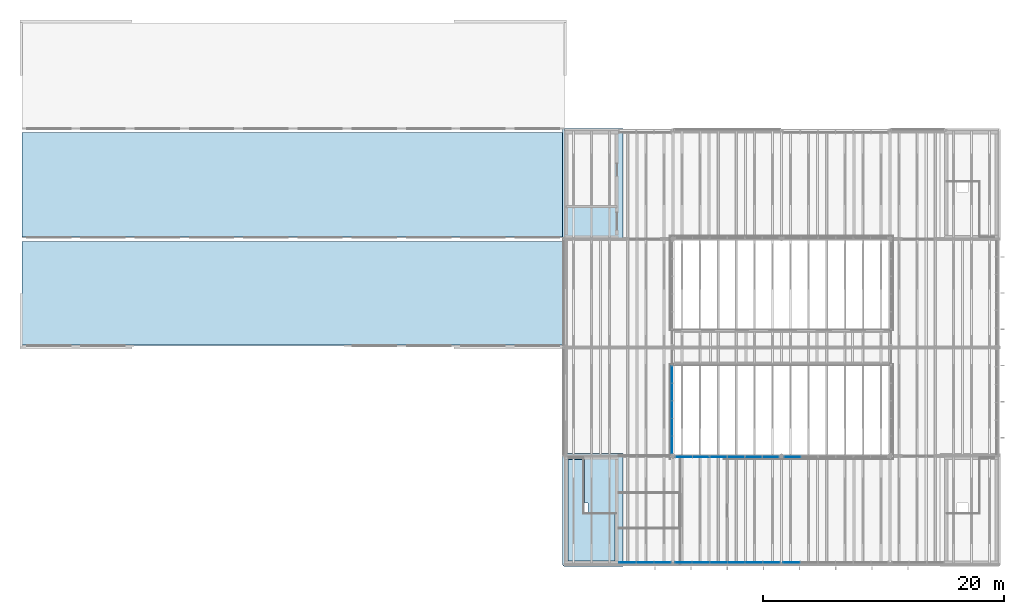
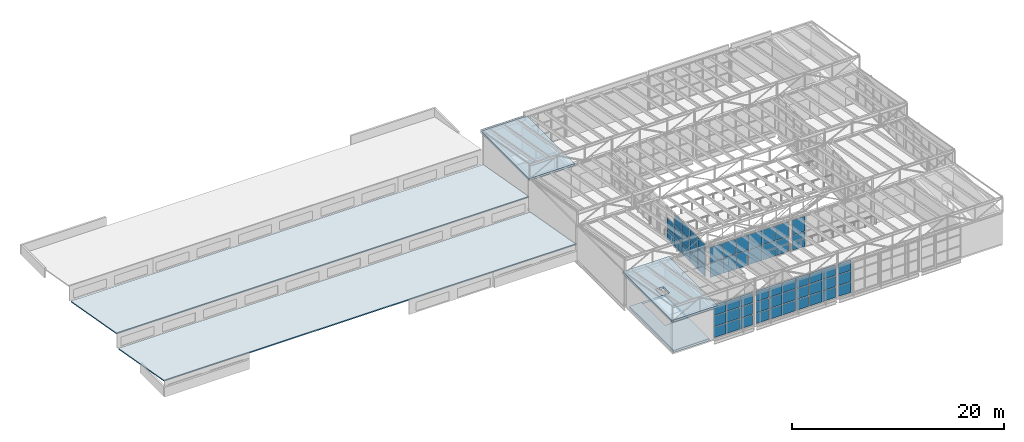
# One storey, part 30 of 44: 58 plates, 5 slabs, 6 elements without a shape of their own.
"""IFC4 building model written with IfcOpenShell, lengths in metres."""

from ifc_helpers import new_model, si_unit, direction, frame, origin, origin_2d, place, context, subcontext, project, spatial, polyline, rectangle, outline, extrude, material, layer, layer_set, type_object, element, aggregate, save


model = new_model("IFC4")

# Units and contexts
model_context = context("Model", 3, precision=1e-05, world=origin(), true_north=direction((0.0, 1.0)))
body_context = subcontext(model_context, "Body", "Model", "MODEL_VIEW")
ifc_project = project(units=[si_unit("LENGTHUNIT", "METRE"), si_unit("AREAUNIT", "SQUARE_METRE"), si_unit("VOLUMEUNIT", "CUBIC_METRE"), si_unit("PLANEANGLEUNIT", "RADIAN"), si_unit("MASSUNIT", "GRAM", prefix="KILO")], contexts=[model_context])

# Site, building, storey
site_placement = place(None, origin())
site = spatial("IfcSite", under=ifc_project, at=site_placement, CompositionType="ELEMENT")
building_placement = place(site_placement, origin())
building = spatial("IfcBuilding", under=site, at=building_placement, Name="Halyard Row Museum", CompositionType="ELEMENT")
storey_placement = place(building_placement, frame((0.0, 0.0, 21.199951171875)))
storey = spatial("IfcBuildingStorey", under=building, at=storey_placement, Name="L04", CompositionType="ELEMENT", Elevation=21.199951171875)

# Slabs
ifc_material_1 = material(Name="Concrete 40 MPa", Category="concrete")
ifc_layer_1 = layer(ifc_material_1, 0.25)
ifc_layer_set_1 = layer_set([ifc_layer_1], Name="Concrete 40 MPa")
slab_type_1 = type_object("IfcSlabType", Name="Core floor slab 250", PredefinedType="FLOOR", material=ifc_layer_set_1)
slab_1_placement = place(storey_placement, frame((0.0, 0.0, -0.25)))
element("IfcSlab", 1, at=slab_1_placement, inside=storey, type_object=slab_type_1, Name="Core floor K2A L04", PredefinedType="FLOOR", context=body_context, shape_type="SweptSolid", body=[
    extrude(outline(polyline([(76.199951171875, 8.699951171875), (72.300048828125, 8.699951171875), (72.300048828125, 0.300048828125), (76.199951171875, 0.300048828125), (76.199951171875, 8.699951171875)]), holes=[polyline([(73.653076171875, 8.697021484375), (76.197021484375, 8.697021484375), (76.197021484375, 4.302978515625), (73.653076171875, 4.302978515625), (73.653076171875, 8.697021484375)])]), origin(), (0.0, 0.0, 1.0), 0.25),
])
ifc_material_2 = material(Name="Concrete 40 MPa", Category="concrete")
ifc_layer_2 = layer(ifc_material_2, 0.25)
ifc_layer_set_2 = layer_set([ifc_layer_2], Name="Concrete 40 MPa")
slab_type_2 = type_object("IfcSlabType", Name="Core roof slab 250 reinforced concrete", PredefinedType="ROOF", material=ifc_layer_set_2)
slab_2_placement = place(storey_placement, frame((0.0, 0.0, 3.628173828125)))
element("IfcSlab", 2, at=slab_2_placement, inside=storey, type_object=slab_type_2, Name="Core roof K2A", PredefinedType="ROOF", context=body_context, shape_type="SweptSolid", body=[
    extrude(outline(polyline([(76.85009765625, -0.14990234375), (72.0, -0.14990234375), (71.9853515625, -0.149169921875), (71.970703125, -0.147216796875), (71.95654296875, -0.1435546875), (71.942626953125, -0.138671875), (71.92919921875, -0.13232421875), (71.916748046875, -0.124755859375), (71.90478515625, -0.115966796875), (71.89404296875, -0.10595703125), (71.884033203125, -0.09521484375), (71.875244140625, -0.083251953125), (71.86767578125, -0.07080078125), (71.861328125, -0.057373046875), (71.8564453125, -0.04345703125), (71.852783203125, -0.029296875), (71.850830078125, -0.0146484375), (71.85009765625, 0.0), (71.85009765625, 9.199951171875), (76.85009765625, 9.199951171875), (76.85009765625, -0.14990234375)]), holes=[polyline([(73.050048828125, 3.89990234375), (73.949951171875, 3.89990234375), (73.949951171875, 5.10009765625), (73.050048828125, 5.10009765625), (73.050048828125, 3.89990234375)])]), origin(), (0.0, 0.0, 1.0), 0.25),
])
slab_3_placement = place(storey_placement, frame((0.0, 0.0, 3.628173828125)))
element("IfcSlab", 3, at=slab_3_placement, inside=storey, type_object=slab_type_2, Name="Core roof K7", PredefinedType="ROOF", context=body_context, shape_type="SweptSolid", body=[
    extrude(outline(polyline([(76.85009765625, 36.095458984375), (72.0, 36.095458984375), (72.0, 35.904541015625), (76.85009765625, 35.904541015625), (76.85009765625, 26.85009765625), (71.85009765625, 26.85009765625), (71.85009765625, 36.0), (71.850830078125, 36.0146484375), (71.852783203125, 36.029296875), (71.8564453125, 36.04345703125), (71.861328125, 36.057373046875), (71.86767578125, 36.07080078125), (71.875244140625, 36.083251953125), (71.884033203125, 36.09521484375), (71.89404296875, 36.10595703125), (71.90478515625, 36.115966796875), (71.916748046875, 36.124755859375), (71.92919921875, 36.13232421875), (71.942626953125, 36.138671875), (71.95654296875, 36.1435546875), (71.970703125, 36.147216796875), (71.9853515625, 36.149169921875), (72.0, 36.14990234375), (76.85009765625, 36.14990234375), (76.85009765625, 36.095458984375)])), origin(), (0.0, 0.0, 1.0), 0.25),
])

# Curtain wall, plates
ifc_material_3 = material(Name="Double glazed unit, low-emissivity", Category="glass")
ifc_layer_3 = layer(ifc_material_3, 0.219970703125)
ifc_layer_set_3 = layer_set([ifc_layer_3], Name="Double glazed unit, low-emissivity")
curtain_wall_type_1 = type_object("IfcCurtainWallType", Name="Curtain wall unitised 220 deep", PredefinedType="NOTDEFINED", material=ifc_layer_set_3)
curtain_wall_1_placement = place(storey_placement, origin())
curtain_wall_1 = element("IfcCurtainWall", 4, at=curtain_wall_1_placement, inside=storey, type_object=curtain_wall_type_1, Name="Curtain wall CW055", PredefinedType="NOTDEFINED")
ifc_material_4 = material(Name="Double glazed unit, low-emissivity", Category="glass")
ifc_layer_4 = layer(ifc_material_4, 0.035888671875)
ifc_layer_set_4 = layer_set([ifc_layer_4], Name="Double glazed unit, low-emissivity")
plate_type_1 = type_object("IfcPlateType", Name="Curtain wall glazed panel CP3 36", PredefinedType="CURTAIN_PANEL", material=ifc_layer_set_4)
plate_1_placement = place(storey_placement, frame((77.244140625, 0.159912109375, 0.06005859375), z_axis=(0.0, 0.0, 1.0), x_axis=(1.0, 0.0, 0.0)))
plate_1 = element("IfcPlate", 5, at=plate_1_placement, type_object=plate_type_1, Name="CW055 panel 1.1", PredefinedType="CURTAIN_PANEL", context=body_context, shape_type="SweptSolid", body=[
    extrude(rectangle(XDim=1.368408203125, YDim=0.035888671875, at=origin_2d()), origin(), (0.0, 0.0, 1.0), 1.20263671875),
])
plate_2_placement = place(storey_placement, frame((77.244140625, 0.159912109375, 1.32275390625), z_axis=(0.0, 0.0, 1.0), x_axis=(1.0, 0.0, 0.0)))
plate_2 = element("IfcPlate", 6, at=plate_2_placement, type_object=plate_type_1, Name="CW055 panel 1.2", PredefinedType="CURTAIN_PANEL", context=body_context, shape_type="SweptSolid", body=[
    extrude(rectangle(XDim=1.368408203125, YDim=0.035888671875, at=origin_2d()), origin(), (0.0, 0.0, 1.0), 1.232666015625),
])
plate_3_placement = place(storey_placement, frame((77.244140625, 0.159912109375, 2.615478515625), z_axis=(0.0, 0.0, 1.0), x_axis=(1.0, 0.0, 0.0)))
plate_3 = element("IfcPlate", 7, at=plate_3_placement, type_object=plate_type_1, Name="CW055 panel 1.3", PredefinedType="CURTAIN_PANEL", context=body_context, shape_type="SweptSolid", body=[
    extrude(rectangle(XDim=1.368408203125, YDim=0.035888671875, at=origin_2d()), origin(), (0.0, 0.0, 1.0), 1.20263671875),
])
plate_4_placement = place(storey_placement, frame((78.6875, 0.159912109375, 0.06005859375), z_axis=(0.0, 0.0, 1.0), x_axis=(1.0, 0.0, 0.0)))
plate_4 = element("IfcPlate", 8, at=plate_4_placement, type_object=plate_type_1, Name="CW055 panel 2.1", PredefinedType="CURTAIN_PANEL", context=body_context, shape_type="SweptSolid", body=[
    extrude(rectangle(XDim=1.3984375, YDim=0.035888671875, at=origin_2d()), origin(), (0.0, 0.0, 1.0), 1.20263671875),
])
plate_5_placement = place(storey_placement, frame((78.6875, 0.159912109375, 1.32275390625), z_axis=(0.0, 0.0, 1.0), x_axis=(1.0, 0.0, 0.0)))
plate_5 = element("IfcPlate", 9, at=plate_5_placement, type_object=plate_type_1, Name="CW055 panel 2.2", PredefinedType="CURTAIN_PANEL", context=body_context, shape_type="SweptSolid", body=[
    extrude(rectangle(XDim=1.3984375, YDim=0.035888671875, at=origin_2d()), origin(), (0.0, 0.0, 1.0), 1.232666015625),
])
plate_6_placement = place(storey_placement, frame((78.6875, 0.159912109375, 2.615478515625), z_axis=(0.0, 0.0, 1.0), x_axis=(1.0, 0.0, 0.0)))
plate_6 = element("IfcPlate", 10, at=plate_6_placement, type_object=plate_type_1, Name="CW055 panel 2.3", PredefinedType="CURTAIN_PANEL", context=body_context, shape_type="SweptSolid", body=[
    extrude(rectangle(XDim=1.3984375, YDim=0.035888671875, at=origin_2d()), origin(), (0.0, 0.0, 1.0), 1.20263671875),
])
plate_7_placement = place(storey_placement, frame((80.130859375, 0.159912109375, 0.06005859375), z_axis=(0.0, 0.0, 1.0), x_axis=(1.0, 0.0, 0.0)))
plate_7 = element("IfcPlate", 11, at=plate_7_placement, type_object=plate_type_1, Name="CW055 panel 3.1", PredefinedType="CURTAIN_PANEL", context=body_context, shape_type="SweptSolid", body=[
    extrude(rectangle(XDim=1.368408203125, YDim=0.035888671875, at=origin_2d()), origin(), (0.0, 0.0, 1.0), 1.20263671875),
])
plate_8_placement = place(storey_placement, frame((80.130859375, 0.159912109375, 1.32275390625), z_axis=(0.0, 0.0, 1.0), x_axis=(1.0, 0.0, 0.0)))
plate_8 = element("IfcPlate", 12, at=plate_8_placement, type_object=plate_type_1, Name="CW055 panel 3.2", PredefinedType="CURTAIN_PANEL", context=body_context, shape_type="SweptSolid", body=[
    extrude(rectangle(XDim=1.368408203125, YDim=0.035888671875, at=origin_2d()), origin(), (0.0, 0.0, 1.0), 1.232666015625),
])
plate_9_placement = place(storey_placement, frame((80.130859375, 0.159912109375, 2.615478515625), z_axis=(0.0, 0.0, 1.0), x_axis=(1.0, 0.0, 0.0)))
plate_9 = element("IfcPlate", 13, at=plate_9_placement, type_object=plate_type_1, Name="CW055 panel 3.3", PredefinedType="CURTAIN_PANEL", context=body_context, shape_type="SweptSolid", body=[
    extrude(rectangle(XDim=1.368408203125, YDim=0.035888671875, at=origin_2d()), origin(), (0.0, 0.0, 1.0), 1.20263671875),
])
aggregate(curtain_wall_1, [plate_1, plate_2, plate_3, plate_4, plate_5, plate_6, plate_7, plate_8, plate_9])

curtain_wall_2_placement = place(storey_placement, origin())
curtain_wall_2 = element("IfcCurtainWall", 14, at=curtain_wall_2_placement, inside=storey, type_object=curtain_wall_type_1, Name="Curtain wall CW056", PredefinedType="NOTDEFINED")
plate_10_placement = place(storey_placement, frame((81.871337890625, 0.159912109375, 0.06005859375), z_axis=(0.0, 0.0, 1.0), x_axis=(1.0, 0.0, 0.0)))
plate_10 = element("IfcPlate", 15, at=plate_10_placement, type_object=plate_type_1, Name="CW056 panel 1.1", PredefinedType="CURTAIN_PANEL", context=body_context, shape_type="SweptSolid", body=[
    extrude(rectangle(XDim=1.37255859375, YDim=0.035888671875, at=origin_2d()), origin(), (0.0, 0.0, 1.0), 1.20263671875),
])
plate_11_placement = place(storey_placement, frame((81.871337890625, 0.159912109375, 1.32275390625), z_axis=(0.0, 0.0, 1.0), x_axis=(1.0, 0.0, 0.0)))
plate_11 = element("IfcPlate", 16, at=plate_11_placement, type_object=plate_type_1, Name="CW056 panel 1.2", PredefinedType="CURTAIN_PANEL", context=body_context, shape_type="SweptSolid", body=[
    extrude(rectangle(XDim=1.37255859375, YDim=0.035888671875, at=origin_2d()), origin(), (0.0, 0.0, 1.0), 1.232666015625),
])
plate_12_placement = place(storey_placement, frame((81.871337890625, 0.159912109375, 2.615478515625), z_axis=(0.0, 0.0, 1.0), x_axis=(1.0, 0.0, 0.0)))
plate_12 = element("IfcPlate", 17, at=plate_12_placement, type_object=plate_type_1, Name="CW056 panel 1.3", PredefinedType="CURTAIN_PANEL", context=body_context, shape_type="SweptSolid", body=[
    extrude(rectangle(XDim=1.37255859375, YDim=0.035888671875, at=origin_2d()), origin(), (0.0, 0.0, 1.0), 1.20263671875),
])
plate_13_placement = place(storey_placement, frame((83.31884765625, 0.159912109375, 0.06005859375), z_axis=(0.0, 0.0, 1.0), x_axis=(1.0, 0.0, 0.0)))
plate_13 = element("IfcPlate", 18, at=plate_13_placement, type_object=plate_type_1, Name="CW056 panel 2.1", PredefinedType="CURTAIN_PANEL", context=body_context, shape_type="SweptSolid", body=[
    extrude(rectangle(XDim=1.402587890625, YDim=0.035888671875, at=origin_2d()), origin(), (0.0, 0.0, 1.0), 1.20263671875),
])
plate_14_placement = place(storey_placement, frame((83.31884765625, 0.159912109375, 1.32275390625), z_axis=(0.0, 0.0, 1.0), x_axis=(1.0, 0.0, 0.0)))
plate_14 = element("IfcPlate", 19, at=plate_14_placement, type_object=plate_type_1, Name="CW056 panel 2.2", PredefinedType="CURTAIN_PANEL", context=body_context, shape_type="SweptSolid", body=[
    extrude(rectangle(XDim=1.402587890625, YDim=0.035888671875, at=origin_2d()), origin(), (0.0, 0.0, 1.0), 1.232666015625),
])
plate_15_placement = place(storey_placement, frame((83.31884765625, 0.159912109375, 2.615478515625), z_axis=(0.0, 0.0, 1.0), x_axis=(1.0, 0.0, 0.0)))
plate_15 = element("IfcPlate", 20, at=plate_15_placement, type_object=plate_type_1, Name="CW056 panel 2.3", PredefinedType="CURTAIN_PANEL", context=body_context, shape_type="SweptSolid", body=[
    extrude(rectangle(XDim=1.402587890625, YDim=0.035888671875, at=origin_2d()), origin(), (0.0, 0.0, 1.0), 1.20263671875),
])
plate_16_placement = place(storey_placement, frame((84.78125, 0.159912109375, 0.06005859375), z_axis=(0.0, 0.0, 1.0), x_axis=(1.0, 0.0, 0.0)))
plate_16 = element("IfcPlate", 21, at=plate_16_placement, type_object=plate_type_1, Name="CW056 panel 3.1", PredefinedType="CURTAIN_PANEL", context=body_context, shape_type="SweptSolid", body=[
    extrude(rectangle(XDim=1.402587890625, YDim=0.035888671875, at=origin_2d()), origin(), (0.0, 0.0, 1.0), 1.20263671875),
])
plate_17_placement = place(storey_placement, frame((84.78125, 0.159912109375, 1.32275390625), z_axis=(0.0, 0.0, 1.0), x_axis=(1.0, 0.0, 0.0)))
plate_17 = element("IfcPlate", 22, at=plate_17_placement, type_object=plate_type_1, Name="CW056 panel 3.2", PredefinedType="CURTAIN_PANEL", context=body_context, shape_type="SweptSolid", body=[
    extrude(rectangle(XDim=1.402587890625, YDim=0.035888671875, at=origin_2d()), origin(), (0.0, 0.0, 1.0), 1.232666015625),
])
plate_18_placement = place(storey_placement, frame((84.78125, 0.159912109375, 2.615478515625), z_axis=(0.0, 0.0, 1.0), x_axis=(1.0, 0.0, 0.0)))
plate_18 = element("IfcPlate", 23, at=plate_18_placement, type_object=plate_type_1, Name="CW056 panel 3.3", PredefinedType="CURTAIN_PANEL", context=body_context, shape_type="SweptSolid", body=[
    extrude(rectangle(XDim=1.402587890625, YDim=0.035888671875, at=origin_2d()), origin(), (0.0, 0.0, 1.0), 1.20263671875),
])
plate_19_placement = place(storey_placement, frame((86.24365234375, 0.159912109375, 0.06005859375), z_axis=(0.0, 0.0, 1.0), x_axis=(1.0, 0.0, 0.0)))
plate_19 = element("IfcPlate", 24, at=plate_19_placement, type_object=plate_type_1, Name="CW056 panel 4.1", PredefinedType="CURTAIN_PANEL", context=body_context, shape_type="SweptSolid", body=[
    extrude(rectangle(XDim=1.402587890625, YDim=0.035888671875, at=origin_2d()), origin(), (0.0, 0.0, 1.0), 1.20263671875),
])
plate_20_placement = place(storey_placement, frame((86.24365234375, 0.159912109375, 1.32275390625), z_axis=(0.0, 0.0, 1.0), x_axis=(1.0, 0.0, 0.0)))
plate_20 = element("IfcPlate", 25, at=plate_20_placement, type_object=plate_type_1, Name="CW056 panel 4.2", PredefinedType="CURTAIN_PANEL", context=body_context, shape_type="SweptSolid", body=[
    extrude(rectangle(XDim=1.402587890625, YDim=0.035888671875, at=origin_2d()), origin(), (0.0, 0.0, 1.0), 1.232666015625),
])
plate_21_placement = place(storey_placement, frame((86.24365234375, 0.159912109375, 2.615478515625), z_axis=(0.0, 0.0, 1.0), x_axis=(1.0, 0.0, 0.0)))
plate_21 = element("IfcPlate", 26, at=plate_21_placement, type_object=plate_type_1, Name="CW056 panel 4.3", PredefinedType="CURTAIN_PANEL", context=body_context, shape_type="SweptSolid", body=[
    extrude(rectangle(XDim=1.402587890625, YDim=0.035888671875, at=origin_2d()), origin(), (0.0, 0.0, 1.0), 1.20263671875),
])
plate_22_placement = place(storey_placement, frame((87.706298828125, 0.159912109375, 0.06005859375), z_axis=(0.0, 0.0, 1.0), x_axis=(1.0, 0.0, 0.0)))
plate_22 = element("IfcPlate", 27, at=plate_22_placement, type_object=plate_type_1, Name="CW056 panel 5.1", PredefinedType="CURTAIN_PANEL", context=body_context, shape_type="SweptSolid", body=[
    extrude(rectangle(XDim=1.402587890625, YDim=0.035888671875, at=origin_2d()), origin(), (0.0, 0.0, 1.0), 1.20263671875),
])
plate_23_placement = place(storey_placement, frame((87.706298828125, 0.159912109375, 1.32275390625), z_axis=(0.0, 0.0, 1.0), x_axis=(1.0, 0.0, 0.0)))
plate_23 = element("IfcPlate", 28, at=plate_23_placement, type_object=plate_type_1, Name="CW056 panel 5.2", PredefinedType="CURTAIN_PANEL", context=body_context, shape_type="SweptSolid", body=[
    extrude(rectangle(XDim=1.402587890625, YDim=0.035888671875, at=origin_2d()), origin(), (0.0, 0.0, 1.0), 1.232666015625),
])
plate_24_placement = place(storey_placement, frame((87.706298828125, 0.159912109375, 2.615478515625), z_axis=(0.0, 0.0, 1.0), x_axis=(1.0, 0.0, 0.0)))
plate_24 = element("IfcPlate", 29, at=plate_24_placement, type_object=plate_type_1, Name="CW056 panel 5.3", PredefinedType="CURTAIN_PANEL", context=body_context, shape_type="SweptSolid", body=[
    extrude(rectangle(XDim=1.402587890625, YDim=0.035888671875, at=origin_2d()), origin(), (0.0, 0.0, 1.0), 1.20263671875),
])
plate_25_placement = place(storey_placement, frame((89.15380859375, 0.159912109375, 0.06005859375), z_axis=(0.0, 0.0, 1.0), x_axis=(1.0, 0.0, 0.0)))
plate_25 = element("IfcPlate", 30, at=plate_25_placement, type_object=plate_type_1, Name="CW056 panel 6.1", PredefinedType="CURTAIN_PANEL", context=body_context, shape_type="SweptSolid", body=[
    extrude(rectangle(XDim=1.37255859375, YDim=0.035888671875, at=origin_2d()), origin(), (0.0, 0.0, 1.0), 1.20263671875),
])
plate_26_placement = place(storey_placement, frame((89.15380859375, 0.159912109375, 1.32275390625), z_axis=(0.0, 0.0, 1.0), x_axis=(1.0, 0.0, 0.0)))
plate_26 = element("IfcPlate", 31, at=plate_26_placement, type_object=plate_type_1, Name="CW056 panel 6.2", PredefinedType="CURTAIN_PANEL", context=body_context, shape_type="SweptSolid", body=[
    extrude(rectangle(XDim=1.37255859375, YDim=0.035888671875, at=origin_2d()), origin(), (0.0, 0.0, 1.0), 1.232666015625),
])
plate_27_placement = place(storey_placement, frame((89.15380859375, 0.159912109375, 2.615478515625), z_axis=(0.0, 0.0, 1.0), x_axis=(1.0, 0.0, 0.0)))
plate_27 = element("IfcPlate", 32, at=plate_27_placement, type_object=plate_type_1, Name="CW056 panel 6.3", PredefinedType="CURTAIN_PANEL", context=body_context, shape_type="SweptSolid", body=[
    extrude(rectangle(XDim=1.37255859375, YDim=0.035888671875, at=origin_2d()), origin(), (0.0, 0.0, 1.0), 1.20263671875),
])
aggregate(curtain_wall_2, [plate_10, plate_11, plate_12, plate_13, plate_14, plate_15, plate_16, plate_17, plate_18, plate_19, plate_20, plate_21, plate_22, plate_23, plate_24, plate_25, plate_26, plate_27])

curtain_wall_3_placement = place(storey_placement, origin())
curtain_wall_3 = element("IfcCurtainWall", 33, at=curtain_wall_3_placement, inside=storey, type_object=curtain_wall_type_1, Name="Curtain wall CW057", PredefinedType="NOTDEFINED")
plate_28_placement = place(storey_placement, frame((90.84619140625, 0.159912109375, 0.06005859375), z_axis=(0.0, 0.0, 1.0), x_axis=(1.0, 0.0, 0.0)))
plate_28 = element("IfcPlate", 34, at=plate_28_placement, type_object=plate_type_1, Name="CW057 panel 1.1", PredefinedType="CURTAIN_PANEL", context=body_context, shape_type="SweptSolid", body=[
    extrude(rectangle(XDim=1.37255859375, YDim=0.035888671875, at=origin_2d()), origin(), (0.0, 0.0, 1.0), 1.20263671875),
])
plate_29_placement = place(storey_placement, frame((90.84619140625, 0.159912109375, 1.32275390625), z_axis=(0.0, 0.0, 1.0), x_axis=(1.0, 0.0, 0.0)))
plate_29 = element("IfcPlate", 35, at=plate_29_placement, type_object=plate_type_1, Name="CW057 panel 1.2", PredefinedType="CURTAIN_PANEL", context=body_context, shape_type="SweptSolid", body=[
    extrude(rectangle(XDim=1.37255859375, YDim=0.035888671875, at=origin_2d()), origin(), (0.0, 0.0, 1.0), 1.232666015625),
])
plate_30_placement = place(storey_placement, frame((90.84619140625, 0.159912109375, 2.615478515625), z_axis=(0.0, 0.0, 1.0), x_axis=(1.0, 0.0, 0.0)))
plate_30 = element("IfcPlate", 36, at=plate_30_placement, type_object=plate_type_1, Name="CW057 panel 1.3", PredefinedType="CURTAIN_PANEL", context=body_context, shape_type="SweptSolid", body=[
    extrude(rectangle(XDim=1.37255859375, YDim=0.035888671875, at=origin_2d()), origin(), (0.0, 0.0, 1.0), 1.20263671875),
])
aggregate(curtain_wall_3, [plate_28, plate_29, plate_30])

ifc_material_5 = material(Name="Fire-resisting laminated glazing", Category="glass")
ifc_layer_5 = layer(ifc_material_5, 0.159912109375)
ifc_layer_set_5 = layer_set([ifc_layer_5], Name="Fire-resisting laminated glazing")
curtain_wall_type_2 = type_object("IfcCurtainWallType", Name="Curtain wall atrium screen 160 deep", PredefinedType="NOTDEFINED", material=ifc_layer_set_5)
curtain_wall_4_placement = place(storey_placement, origin())
curtain_wall_4 = element("IfcCurtainWall", 37, at=curtain_wall_4_placement, inside=storey, type_object=curtain_wall_type_2, Name="Curtain wall CW102", PredefinedType="NOTDEFINED")
ifc_material_6 = material(Name="Fire-resisting laminated glazing", Category="glass")
ifc_layer_6 = layer(ifc_material_6, 0.0400390625)
ifc_layer_set_6 = layer_set([ifc_layer_6], Name="Fire-resisting laminated glazing")
plate_type_2 = type_object("IfcPlateType", Name="Curtain wall glazed panel CP5 40", PredefinedType="CURTAIN_PANEL", material=ifc_layer_set_6)
plate_31_placement = place(storey_placement, frame((81.91455078125, 8.919921875, 0.06005859375), z_axis=(0.0, 0.0, 1.0), x_axis=(1.0, 0.0, 0.0)))
plate_31 = element("IfcPlate", 38, at=plate_31_placement, type_object=plate_type_2, Name="CW102 panel 1.1", PredefinedType="CURTAIN_PANEL", context=body_context, shape_type="SweptSolid", body=[
    extrude(rectangle(XDim=1.353271484375, YDim=0.0400390625, at=origin_2d()), origin(), (0.0, 0.0, 1.0), 1.7099609375),
])
plate_32_placement = place(storey_placement, frame((81.91455078125, 8.919921875, 1.830078125), z_axis=(0.0, 0.0, 1.0), x_axis=(1.0, 0.0, 0.0)))
plate_32 = element("IfcPlate", 39, at=plate_32_placement, type_object=plate_type_2, Name="CW102 panel 1.2", PredefinedType="CURTAIN_PANEL", context=body_context, shape_type="SweptSolid", body=[
    extrude(rectangle(XDim=1.353271484375, YDim=0.0400390625, at=origin_2d()), origin(), (0.0, 0.0, 1.0), 1.7099609375),
])
plate_33_placement = place(storey_placement, frame((83.3427734375, 8.919921875, 0.06005859375), z_axis=(0.0, 0.0, 1.0), x_axis=(1.0, 0.0, 0.0)))
plate_33 = element("IfcPlate", 40, at=plate_33_placement, type_object=plate_type_2, Name="CW102 panel 2.1", PredefinedType="CURTAIN_PANEL", context=body_context, shape_type="SweptSolid", body=[
    extrude(rectangle(XDim=1.38330078125, YDim=0.0400390625, at=origin_2d()), origin(), (0.0, 0.0, 1.0), 1.7099609375),
])
plate_34_placement = place(storey_placement, frame((83.3427734375, 8.919921875, 1.830078125), z_axis=(0.0, 0.0, 1.0), x_axis=(1.0, 0.0, 0.0)))
plate_34 = element("IfcPlate", 41, at=plate_34_placement, type_object=plate_type_2, Name="CW102 panel 2.2", PredefinedType="CURTAIN_PANEL", context=body_context, shape_type="SweptSolid", body=[
    extrude(rectangle(XDim=1.38330078125, YDim=0.0400390625, at=origin_2d()), origin(), (0.0, 0.0, 1.0), 1.7099609375),
])
plate_35_placement = place(storey_placement, frame((84.7861328125, 8.919921875, 0.06005859375), z_axis=(0.0, 0.0, 1.0), x_axis=(1.0, 0.0, 0.0)))
plate_35 = element("IfcPlate", 42, at=plate_35_placement, type_object=plate_type_2, Name="CW102 panel 3.1", PredefinedType="CURTAIN_PANEL", context=body_context, shape_type="SweptSolid", body=[
    extrude(rectangle(XDim=1.38330078125, YDim=0.0400390625, at=origin_2d()), origin(), (0.0, 0.0, 1.0), 1.7099609375),
])
plate_36_placement = place(storey_placement, frame((84.7861328125, 8.919921875, 1.830078125), z_axis=(0.0, 0.0, 1.0), x_axis=(1.0, 0.0, 0.0)))
plate_36 = element("IfcPlate", 43, at=plate_36_placement, type_object=plate_type_2, Name="CW102 panel 3.2", PredefinedType="CURTAIN_PANEL", context=body_context, shape_type="SweptSolid", body=[
    extrude(rectangle(XDim=1.38330078125, YDim=0.0400390625, at=origin_2d()), origin(), (0.0, 0.0, 1.0), 1.7099609375),
])
plate_37_placement = place(storey_placement, frame((86.2294921875, 8.919921875, 0.06005859375), z_axis=(0.0, 0.0, 1.0), x_axis=(1.0, 0.0, 0.0)))
plate_37 = element("IfcPlate", 44, at=plate_37_placement, type_object=plate_type_2, Name="CW102 panel 4.1", PredefinedType="CURTAIN_PANEL", context=body_context, shape_type="SweptSolid", body=[
    extrude(rectangle(XDim=1.38330078125, YDim=0.0400390625, at=origin_2d()), origin(), (0.0, 0.0, 1.0), 1.7099609375),
])
plate_38_placement = place(storey_placement, frame((86.2294921875, 8.919921875, 1.830078125), z_axis=(0.0, 0.0, 1.0), x_axis=(1.0, 0.0, 0.0)))
plate_38 = element("IfcPlate", 45, at=plate_38_placement, type_object=plate_type_2, Name="CW102 panel 4.2", PredefinedType="CURTAIN_PANEL", context=body_context, shape_type="SweptSolid", body=[
    extrude(rectangle(XDim=1.38330078125, YDim=0.0400390625, at=origin_2d()), origin(), (0.0, 0.0, 1.0), 1.7099609375),
])
plate_39_placement = place(storey_placement, frame((87.673095703125, 8.919921875, 0.06005859375), z_axis=(0.0, 0.0, 1.0), x_axis=(1.0, 0.0, 0.0)))
plate_39 = element("IfcPlate", 46, at=plate_39_placement, type_object=plate_type_2, Name="CW102 panel 5.1", PredefinedType="CURTAIN_PANEL", context=body_context, shape_type="SweptSolid", body=[
    extrude(rectangle(XDim=1.38330078125, YDim=0.0400390625, at=origin_2d()), origin(), (0.0, 0.0, 1.0), 1.7099609375),
])
plate_40_placement = place(storey_placement, frame((87.673095703125, 8.919921875, 1.830078125), z_axis=(0.0, 0.0, 1.0), x_axis=(1.0, 0.0, 0.0)))
plate_40 = element("IfcPlate", 47, at=plate_40_placement, type_object=plate_type_2, Name="CW102 panel 5.2", PredefinedType="CURTAIN_PANEL", context=body_context, shape_type="SweptSolid", body=[
    extrude(rectangle(XDim=1.38330078125, YDim=0.0400390625, at=origin_2d()), origin(), (0.0, 0.0, 1.0), 1.7099609375),
])
plate_41_placement = place(storey_placement, frame((89.101318359375, 8.919921875, 0.06005859375), z_axis=(0.0, 0.0, 1.0), x_axis=(1.0, 0.0, 0.0)))
plate_41 = element("IfcPlate", 48, at=plate_41_placement, type_object=plate_type_2, Name="CW102 panel 6.1", PredefinedType="CURTAIN_PANEL", context=body_context, shape_type="SweptSolid", body=[
    extrude(rectangle(XDim=1.353271484375, YDim=0.0400390625, at=origin_2d()), origin(), (0.0, 0.0, 1.0), 1.7099609375),
])
plate_42_placement = place(storey_placement, frame((89.101318359375, 8.919921875, 1.830078125), z_axis=(0.0, 0.0, 1.0), x_axis=(1.0, 0.0, 0.0)))
plate_42 = element("IfcPlate", 49, at=plate_42_placement, type_object=plate_type_2, Name="CW102 panel 6.2", PredefinedType="CURTAIN_PANEL", context=body_context, shape_type="SweptSolid", body=[
    extrude(rectangle(XDim=1.353271484375, YDim=0.0400390625, at=origin_2d()), origin(), (0.0, 0.0, 1.0), 1.7099609375),
])
aggregate(curtain_wall_4, [plate_31, plate_32, plate_33, plate_34, plate_35, plate_36, plate_37, plate_38, plate_39, plate_40, plate_41, plate_42])

curtain_wall_5_placement = place(storey_placement, origin())
curtain_wall_5 = element("IfcCurtainWall", 50, at=curtain_wall_5_placement, inside=storey, type_object=curtain_wall_type_2, Name="Curtain wall CW103", PredefinedType="NOTDEFINED")
plate_43_placement = place(storey_placement, frame((90.898681640625, 8.919921875, 0.06005859375), z_axis=(0.0, 0.0, 1.0), x_axis=(1.0, 0.0, 0.0)))
plate_43 = element("IfcPlate", 51, at=plate_43_placement, type_object=plate_type_2, Name="CW103 panel 1.1", PredefinedType="CURTAIN_PANEL", context=body_context, shape_type="SweptSolid", body=[
    extrude(rectangle(XDim=1.353271484375, YDim=0.0400390625, at=origin_2d()), origin(), (0.0, 0.0, 1.0), 1.7099609375),
])
plate_44_placement = place(storey_placement, frame((90.898681640625, 8.919921875, 1.830078125), z_axis=(0.0, 0.0, 1.0), x_axis=(1.0, 0.0, 0.0)))
plate_44 = element("IfcPlate", 52, at=plate_44_placement, type_object=plate_type_2, Name="CW103 panel 1.2", PredefinedType="CURTAIN_PANEL", context=body_context, shape_type="SweptSolid", body=[
    extrude(rectangle(XDim=1.353271484375, YDim=0.0400390625, at=origin_2d()), origin(), (0.0, 0.0, 1.0), 1.7099609375),
])
aggregate(curtain_wall_5, [plate_43, plate_44])

curtain_wall_6_placement = place(storey_placement, origin())
curtain_wall_6 = element("IfcCurtainWall", 53, at=curtain_wall_6_placement, inside=storey, type_object=curtain_wall_type_2, Name="Curtain wall CW109", PredefinedType="NOTDEFINED")
plate_45_placement = place(storey_placement, frame((80.919921875, 15.752685546875, 0.06005859375), z_axis=(0.0, 0.0, 1.0), x_axis=(0.0, -1.0, 0.0)))
plate_45 = element("IfcPlate", 54, at=plate_45_placement, type_object=plate_type_2, Name="CW109 panel 1.1", PredefinedType="CURTAIN_PANEL", context=body_context, shape_type="SweptSolid", body=[
    extrude(rectangle(XDim=1.37451171875, YDim=0.0400390625, at=origin_2d()), origin(), (0.0, 0.0, 1.0), 1.20263671875),
])
plate_46_placement = place(storey_placement, frame((80.919921875, 15.752685546875, 1.32275390625), z_axis=(0.0, 0.0, 1.0), x_axis=(0.0, -1.0, 0.0)))
plate_46 = element("IfcPlate", 55, at=plate_46_placement, type_object=plate_type_2, Name="CW109 panel 1.2", PredefinedType="CURTAIN_PANEL", context=body_context, shape_type="SweptSolid", body=[
    extrude(rectangle(XDim=1.37451171875, YDim=0.0400390625, at=origin_2d()), origin(), (0.0, 0.0, 1.0), 1.232666015625),
])
plate_47_placement = place(storey_placement, frame((80.919921875, 14.30322265625, 0.06005859375), z_axis=(0.0, 0.0, 1.0), x_axis=(0.0, -1.0, 0.0)))
plate_47 = element("IfcPlate", 56, at=plate_47_placement, type_object=plate_type_2, Name="CW109 panel 2.1", PredefinedType="CURTAIN_PANEL", context=body_context, shape_type="SweptSolid", body=[
    extrude(rectangle(XDim=1.404541015625, YDim=0.0400390625, at=origin_2d()), origin(), (0.0, 0.0, 1.0), 1.20263671875),
])
plate_48_placement = place(storey_placement, frame((80.919921875, 14.30322265625, 1.32275390625), z_axis=(0.0, 0.0, 1.0), x_axis=(0.0, -1.0, 0.0)))
plate_48 = element("IfcPlate", 57, at=plate_48_placement, type_object=plate_type_2, Name="CW109 panel 2.2", PredefinedType="CURTAIN_PANEL", context=body_context, shape_type="SweptSolid", body=[
    extrude(rectangle(XDim=1.404541015625, YDim=0.0400390625, at=origin_2d()), origin(), (0.0, 0.0, 1.0), 1.232666015625),
])
plate_49_placement = place(storey_placement, frame((80.919921875, 14.30322265625, 2.615478515625), z_axis=(0.0, 0.0, 1.0), x_axis=(0.0, -1.0, 0.0)))
plate_49 = element("IfcPlate", 58, at=plate_49_placement, type_object=plate_type_2, Name="CW109 panel 2.3", PredefinedType="CURTAIN_PANEL", context=body_context, shape_type="SweptSolid", body=[
    extrude(rectangle(XDim=1.404541015625, YDim=0.0400390625, at=origin_2d()), origin(), (0.0, 0.0, 1.0), 1.20263671875),
])
plate_50_placement = place(storey_placement, frame((80.919921875, 12.8388671875, 0.06005859375), z_axis=(0.0, 0.0, 1.0), x_axis=(0.0, -1.0, 0.0)))
plate_50 = element("IfcPlate", 59, at=plate_50_placement, type_object=plate_type_2, Name="CW109 panel 3.1", PredefinedType="CURTAIN_PANEL", context=body_context, shape_type="SweptSolid", body=[
    extrude(rectangle(XDim=1.404541015625, YDim=0.0400390625, at=origin_2d()), origin(), (0.0, 0.0, 1.0), 1.20263671875),
])
plate_51_placement = place(storey_placement, frame((80.919921875, 12.8388671875, 1.32275390625), z_axis=(0.0, 0.0, 1.0), x_axis=(0.0, -1.0, 0.0)))
plate_51 = element("IfcPlate", 60, at=plate_51_placement, type_object=plate_type_2, Name="CW109 panel 3.2", PredefinedType="CURTAIN_PANEL", context=body_context, shape_type="SweptSolid", body=[
    extrude(rectangle(XDim=1.404541015625, YDim=0.0400390625, at=origin_2d()), origin(), (0.0, 0.0, 1.0), 1.232666015625),
])
plate_52_placement = place(storey_placement, frame((80.919921875, 12.8388671875, 2.615478515625), z_axis=(0.0, 0.0, 1.0), x_axis=(0.0, -1.0, 0.0)))
plate_52 = element("IfcPlate", 61, at=plate_52_placement, type_object=plate_type_2, Name="CW109 panel 3.3", PredefinedType="CURTAIN_PANEL", context=body_context, shape_type="SweptSolid", body=[
    extrude(rectangle(XDim=1.404541015625, YDim=0.0400390625, at=origin_2d()), origin(), (0.0, 0.0, 1.0), 1.20263671875),
])
plate_53_placement = place(storey_placement, frame((80.919921875, 11.37451171875, 0.06005859375), z_axis=(0.0, 0.0, 1.0), x_axis=(0.0, -1.0, 0.0)))
plate_53 = element("IfcPlate", 62, at=plate_53_placement, type_object=plate_type_2, Name="CW109 panel 4.1", PredefinedType="CURTAIN_PANEL", context=body_context, shape_type="SweptSolid", body=[
    extrude(rectangle(XDim=1.404541015625, YDim=0.0400390625, at=origin_2d()), origin(), (0.0, 0.0, 1.0), 1.20263671875),
])
plate_54_placement = place(storey_placement, frame((80.919921875, 11.37451171875, 1.32275390625), z_axis=(0.0, 0.0, 1.0), x_axis=(0.0, -1.0, 0.0)))
plate_54 = element("IfcPlate", 63, at=plate_54_placement, type_object=plate_type_2, Name="CW109 panel 4.2", PredefinedType="CURTAIN_PANEL", context=body_context, shape_type="SweptSolid", body=[
    extrude(rectangle(XDim=1.404541015625, YDim=0.0400390625, at=origin_2d()), origin(), (0.0, 0.0, 1.0), 1.232666015625),
])
plate_55_placement = place(storey_placement, frame((80.919921875, 11.37451171875, 2.615478515625), z_axis=(0.0, 0.0, 1.0), x_axis=(0.0, -1.0, 0.0)))
plate_55 = element("IfcPlate", 64, at=plate_55_placement, type_object=plate_type_2, Name="CW109 panel 4.3", PredefinedType="CURTAIN_PANEL", context=body_context, shape_type="SweptSolid", body=[
    extrude(rectangle(XDim=1.404541015625, YDim=0.0400390625, at=origin_2d()), origin(), (0.0, 0.0, 1.0), 1.20263671875),
])
plate_56_placement = place(storey_placement, frame((80.919921875, 9.925048828125, 0.06005859375), z_axis=(0.0, 0.0, 1.0), x_axis=(0.0, -1.0, 0.0)))
plate_56 = element("IfcPlate", 65, at=plate_56_placement, type_object=plate_type_2, Name="CW109 panel 5.1", PredefinedType="CURTAIN_PANEL", context=body_context, shape_type="SweptSolid", body=[
    extrude(rectangle(XDim=1.37451171875, YDim=0.0400390625, at=origin_2d()), origin(), (0.0, 0.0, 1.0), 1.20263671875),
])
plate_57_placement = place(storey_placement, frame((80.919921875, 9.925048828125, 1.32275390625), z_axis=(0.0, 0.0, 1.0), x_axis=(0.0, -1.0, 0.0)))
plate_57 = element("IfcPlate", 66, at=plate_57_placement, type_object=plate_type_2, Name="CW109 panel 5.2", PredefinedType="CURTAIN_PANEL", context=body_context, shape_type="SweptSolid", body=[
    extrude(rectangle(XDim=1.37451171875, YDim=0.0400390625, at=origin_2d()), origin(), (0.0, 0.0, 1.0), 1.232666015625),
])
plate_58_placement = place(storey_placement, frame((80.919921875, 9.925048828125, 2.615478515625), z_axis=(0.0, 0.0, 1.0), x_axis=(0.0, -1.0, 0.0)))
plate_58 = element("IfcPlate", 67, at=plate_58_placement, type_object=plate_type_2, Name="CW109 panel 5.3", PredefinedType="CURTAIN_PANEL", context=body_context, shape_type="SweptSolid", body=[
    extrude(rectangle(XDim=1.37451171875, YDim=0.0400390625, at=origin_2d()), origin(), (0.0, 0.0, 1.0), 1.20263671875),
])
aggregate(curtain_wall_6, [plate_45, plate_46, plate_47, plate_48, plate_49, plate_50, plate_51, plate_52, plate_53, plate_54, plate_55, plate_56, plate_57, plate_58])

# Slabs
ifc_material_7 = material(Name="Standing-seam roofing on insulated timber deck", Category="wood")
ifc_layer_7 = layer(ifc_material_7, 0.1201171875)
ifc_layer_set_7 = layer_set([ifc_layer_7], Name="Standing-seam roofing on insulated timber deck")
slab_type_3 = type_object("IfcSlabType", Name="Sawtooth roof slab 120 insulated deck", PredefinedType="ROOF", material=ifc_layer_set_7)
slab_4_placement = place(storey_placement, frame((27.0, 18.18896484375, 1.56640625), z_axis=(0.0, 0.175022511077, 0.984564431927), x_axis=(1.0, 0.0, 0.0)))
element("IfcSlab", 68, at=slab_4_placement, inside=storey, type_object=slab_type_3, Name="Roof slab V1-T1a", PredefinedType="ROOF", context=body_context, shape_type="SweptSolid", body=[
    extrude(outline(polyline([(0.0, 0.0), (45.0, 0.0), (45.0, 8.746084771230501), (0.0, 8.746084771230501), (0.0, 0.0)])), origin(), (0.0, 0.0, -1.0), 0.1201171875),
])
slab_5_placement = place(storey_placement, frame((27.0, 27.174560546875, 1.569091796875), z_axis=(0.0, 0.175036336252, 0.984561974175), x_axis=(1.0, 0.0, 0.0)))
element("IfcSlab", 69, at=slab_5_placement, inside=storey, type_object=slab_type_3, Name="Roof slab V1-T2a", PredefinedType="ROOF", context=body_context, shape_type="SweptSolid", body=[
    extrude(outline(polyline([(0.0, 0.0), (45.0, 0.0), (45.0, 8.760736761621928), (0.0, 8.760736761621928), (0.0, 0.0)])), origin(), (0.0, 0.0, -1.0), 0.1201171875),
])

save(model, "model.ifc")
